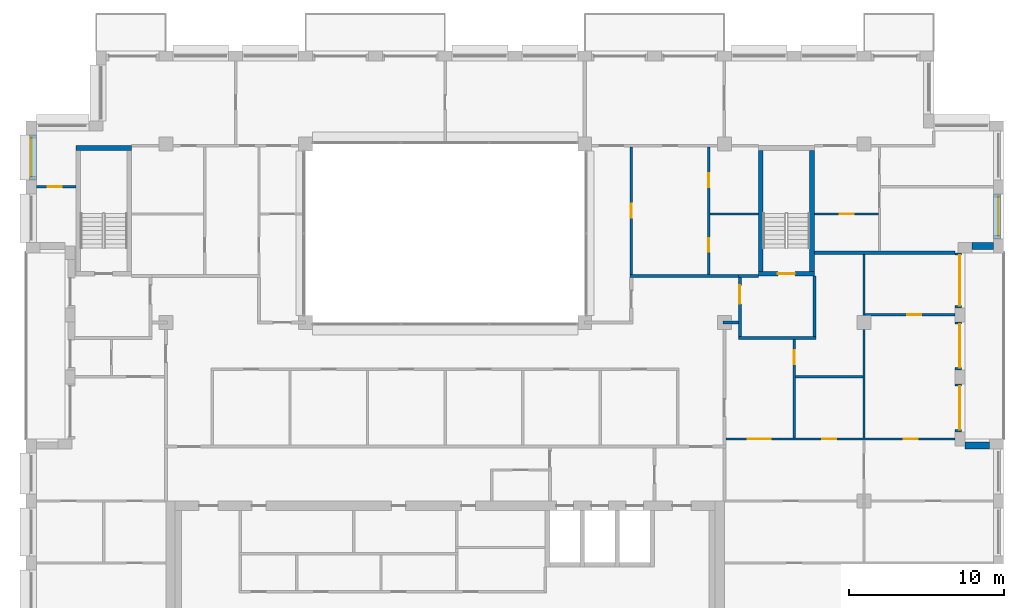
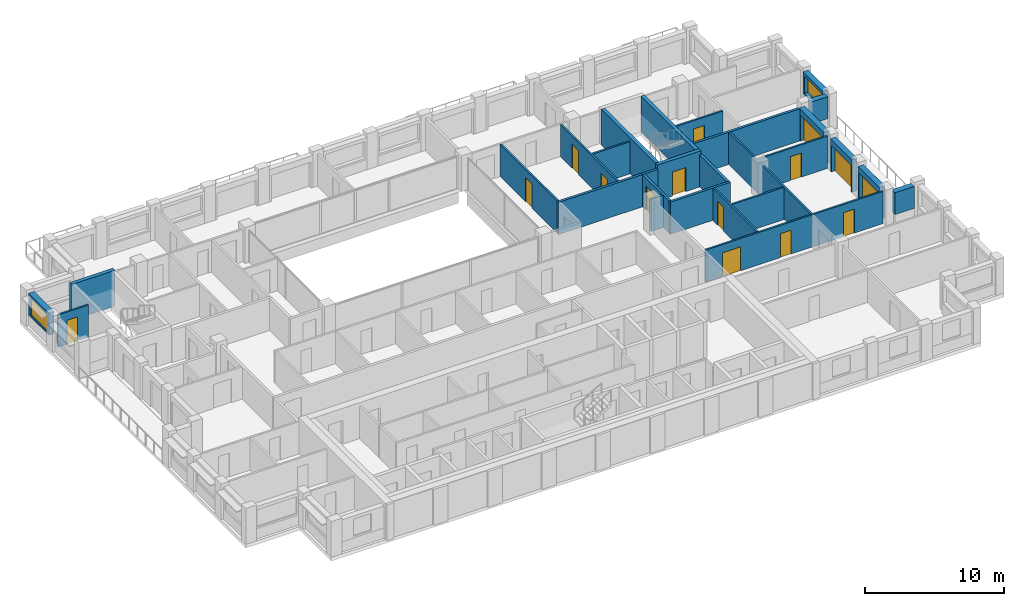
# One storey, part 12 of 15: 28 walls, 15 doors, 2 windows, 17 openings.
"""IFC4 building model written with IfcOpenShell, lengths in metres."""

from ifc_helpers import new_model, si_unit, direction, frame, frame_2d, origin, place, context, subcontext, project, spatial, rectangle, extrude, material, layer, layer_set, type_object, element, fill, save


model = new_model("IFC4")

# Units and contexts
model_context = context("Model", 3, precision=1e-05, world=origin(), true_north=direction((0.0, 1.0)))
body_context = subcontext(model_context, "Body", "Model", "MODEL_VIEW")
ifc_project = project(units=[si_unit("LENGTHUNIT", "METRE"), si_unit("AREAUNIT", "SQUARE_METRE"), si_unit("VOLUMEUNIT", "CUBIC_METRE"), si_unit("PLANEANGLEUNIT", "RADIAN"), si_unit("MASSUNIT", "GRAM", prefix="KILO")], contexts=[model_context])

# Site, building, storey
site_placement = place(None, origin())
site = spatial("IfcSite", under=ifc_project, at=site_placement, CompositionType="ELEMENT")
building_placement = place(site_placement, origin())
building = spatial("IfcBuilding", under=site, at=building_placement, Name="Brigalow Station Residences", CompositionType="ELEMENT")
storey_placement = place(building_placement, frame((0.0, 0.0, 210.60009765625)))
storey = spatial("IfcBuildingStorey", under=building, at=storey_placement, Name="L60", CompositionType="ELEMENT", Elevation=210.60009765625)

# Wall
ifc_material_1 = material(Name="Clay brick masonry", Category="masonry")
ifc_layer_1 = layer(ifc_material_1, 0.449951171875)
ifc_layer_set_1 = layer_set([ifc_layer_1], Name="BRICK INFILL WALL 450")
wall_type_1 = type_object("IfcWallType", Name="BRICK INFILL WALL 450", PredefinedType="SOLIDWALL", material=ifc_layer_set_1)
wall_1_placement = place(storey_placement, frame((71.10009765625, 16.074951171875, 0.89990234375), z_axis=(0.0, 0.0, 1.0), x_axis=(-1.0, 0.0, 0.0)))
element("IfcWall", 1, at=wall_1_placement, inside=storey, type_object=wall_type_1, Name="L60/ewall/W-L60-11", PredefinedType="SOLIDWALL", context=body_context, shape_type="SweptSolid", body=[
    extrude(rectangle(XDim=1.60009765625, YDim=0.449951171875, at=frame_2d((0.800048828125, 0.0))), origin(), (0.0, 0.0, 1.0), 1.929931640625),
])

# Wall, opening, door
wall_2_placement = place(storey_placement, frame((69.074951171875, 16.949951171875, 0.0), z_axis=(0.0, 0.0, 1.0), x_axis=(0.0, 1.0, 0.0)))
wall_2 = element("IfcWall", 2, at=wall_2_placement, inside=storey, type_object=wall_type_1, Name="L60/ewall/W-L60-12", PredefinedType="SOLIDWALL", context=body_context, shape_type="SweptSolid", body=[
    extrude(rectangle(XDim=3.10009765625, YDim=0.449951171875, at=frame_2d((1.550048828125, 0.0))), origin(), (0.0, 0.0, 1.0), 2.829833984375),
])
opening_1_placement = place(wall_2_placement, frame((0.14990234375, 0.0, 0.0)))
opening_1 = element("IfcOpeningElement", 3, at=opening_1_placement, cuts=wall_2, Name="Opening D-B2800", PredefinedType="OPENING", context=body_context, shape_type="SweptSolid", body=[
    extrude(rectangle(XDim=2.800048828125, YDim=2.300048828125, at=frame_2d((1.39990234375, 1.14990234375))), frame((0.0, 0.23486328125, 0.0), z_axis=(0.0, -1.0, 0.0), x_axis=(1.0, 0.0, 0.0)), (0.0, 0.0, 1.0), 0.469970703125),
])
ifc_material_2 = material(Name="Anodised aluminium frame with double glazing", Category="aluminium")
door_type_1 = type_object("IfcDoorType", Name="BALCONY SLIDING DOOR 2800x2300", OperationType="SLIDING_TO_LEFT", PredefinedType="DOOR", material=ifc_material_2)
door_1_placement = place(opening_1_placement, origin())
door_1 = element("IfcDoor", 4, at=door_1_placement, inside=storey, type_object=door_type_1, Name="L60/balcony-door/W-L60-12", OperationType="SLIDING_TO_LEFT", OverallHeight=2.300048828125, OverallWidth=2.800048828125, PredefinedType="DOOR", context=body_context, shape_type="SweptSolid", body=[
    extrude(rectangle(XDim=2.800048828125, YDim=2.300048828125, at=frame_2d((1.39990234375, 1.14990234375))), frame((0.0, -0.06982421875, 0.0), z_axis=(0.0, -1.0, 0.0), x_axis=(1.0, 0.0, 0.0)), (0.0, 0.0, 1.0), 0.050048828125),
])
fill(opening_1, door_1)

wall_3_placement = place(storey_placement, frame((69.074951171875, 20.949951171875, 0.0), z_axis=(0.0, 0.0, 1.0), x_axis=(0.0, 1.0, 0.0)))
wall_3 = element("IfcWall", 5, at=wall_3_placement, inside=storey, type_object=wall_type_1, Name="L60/ewall/W-L60-13", PredefinedType="SOLIDWALL", context=body_context, shape_type="SweptSolid", body=[
    extrude(rectangle(XDim=3.10009765625, YDim=0.449951171875, at=frame_2d((1.550048828125, 0.0))), origin(), (0.0, 0.0, 1.0), 2.829833984375),
])
opening_2_placement = place(wall_3_placement, frame((0.14990234375, 0.0, 0.0)))
opening_2 = element("IfcOpeningElement", 6, at=opening_2_placement, cuts=wall_3, Name="Opening D-B2800", PredefinedType="OPENING", context=body_context, shape_type="SweptSolid", body=[
    extrude(rectangle(XDim=2.800048828125, YDim=2.300048828125, at=frame_2d((1.39990234375, 1.14990234375))), frame((0.0, 0.23486328125, 0.0), z_axis=(0.0, -1.0, 0.0), x_axis=(1.0, 0.0, 0.0)), (0.0, 0.0, 1.0), 0.469970703125),
])
door_2_placement = place(opening_2_placement, origin())
door_2 = element("IfcDoor", 7, at=door_2_placement, inside=storey, type_object=door_type_1, Name="L60/balcony-door/W-L60-13", OperationType="SLIDING_TO_LEFT", OverallHeight=2.300048828125, OverallWidth=2.800048828125, PredefinedType="DOOR", context=body_context, shape_type="SweptSolid", body=[
    extrude(rectangle(XDim=2.800048828125, YDim=2.300048828125, at=frame_2d((1.39990234375, 1.14990234375))), frame((0.0, -0.06982421875, 0.0), z_axis=(0.0, -1.0, 0.0), x_axis=(1.0, 0.0, 0.0)), (0.0, 0.0, 1.0), 0.050048828125),
])
fill(opening_2, door_2)

wall_4_placement = place(storey_placement, frame((69.074951171875, 24.949951171875, 0.0), z_axis=(0.0, 0.0, 1.0), x_axis=(0.0, 1.0, 0.0)))
wall_4 = element("IfcWall", 8, at=wall_4_placement, inside=storey, type_object=wall_type_1, Name="L60/ewall/W-L60-14", PredefinedType="SOLIDWALL", context=body_context, shape_type="SweptSolid", body=[
    extrude(rectangle(XDim=3.550048828125, YDim=0.449951171875, at=frame_2d((1.77490234375, 0.0))), origin(), (0.0, 0.0, 1.0), 2.829833984375),
])
opening_3_placement = place(wall_4_placement, frame((0.14990234375, 0.0, 0.0)))
opening_3 = element("IfcOpeningElement", 9, at=opening_3_placement, cuts=wall_4, Name="Opening D-B3250", PredefinedType="OPENING", context=body_context, shape_type="SweptSolid", body=[
    extrude(rectangle(XDim=3.25, YDim=2.300048828125, at=frame_2d((1.625, 1.14990234375))), frame((0.0, 0.23486328125, 0.0), z_axis=(0.0, -1.0, 0.0), x_axis=(1.0, 0.0, 0.0)), (0.0, 0.0, 1.0), 0.469970703125),
])
ifc_material_3 = material(Name="Anodised aluminium frame with double glazing", Category="aluminium")
door_type_2 = type_object("IfcDoorType", Name="BALCONY SLIDING DOOR 3250x2300", OperationType="SLIDING_TO_LEFT", PredefinedType="DOOR", material=ifc_material_3)
door_3_placement = place(opening_3_placement, origin())
door_3 = element("IfcDoor", 10, at=door_3_placement, inside=storey, type_object=door_type_2, Name="L60/balcony-door/W-L60-14", OperationType="SLIDING_TO_LEFT", OverallHeight=2.300048828125, OverallWidth=3.25, PredefinedType="DOOR", context=body_context, shape_type="SweptSolid", body=[
    extrude(rectangle(XDim=3.25, YDim=2.300048828125, at=frame_2d((1.625, 1.14990234375))), frame((0.0, -0.06982421875, 0.0), z_axis=(0.0, -1.0, 0.0), x_axis=(1.0, 0.0, 0.0)), (0.0, 0.0, 1.0), 0.050048828125),
])
fill(opening_3, door_3)

# Wall
wall_5_placement = place(storey_placement, frame((69.949951171875, 28.925048828125, 0.89990234375), z_axis=(0.0, 0.0, 1.0), x_axis=(1.0, 0.0, 0.0)))
element("IfcWall", 11, at=wall_5_placement, inside=storey, type_object=wall_type_1, Name="L60/ewall/W-L60-15", PredefinedType="SOLIDWALL", context=body_context, shape_type="SweptSolid", body=[
    extrude(rectangle(XDim=1.400146484375, YDim=0.449951171875, at=frame_2d((0.7001953125, 0.0))), origin(), (0.0, 0.0, 1.0), 1.929931640625),
])

# Wall, opening, window
wall_6_placement = place(storey_placement, frame((71.574951171875, 29.39990234375, 0.89990234375), z_axis=(0.0, 0.0, 1.0), x_axis=(0.0, 1.0, 0.0)))
wall_6 = element("IfcWall", 12, at=wall_6_placement, inside=storey, type_object=wall_type_1, Name="L60/ewall/W-L60-16", PredefinedType="SOLIDWALL", context=body_context, shape_type="SweptSolid", body=[
    extrude(rectangle(XDim=2.900146484375, YDim=0.449951171875, at=frame_2d((1.4501953125, 0.0))), origin(), (0.0, 0.0, 1.0), 1.929931640625),
])
opening_4_placement = place(wall_6_placement, frame((0.199951171875, 0.0, 0.14990234375)))
opening_4 = element("IfcOpeningElement", 13, at=opening_4_placement, cuts=wall_6, Name="Opening WT-5", PredefinedType="OPENING", context=body_context, shape_type="SweptSolid", body=[
    extrude(rectangle(XDim=2.5, YDim=1.5, at=frame_2d((1.25, 0.75))), frame((0.0, 0.23486328125, 0.0), z_axis=(0.0, -1.0, 0.0), x_axis=(1.0, 0.0, 0.0)), (0.0, 0.0, 1.0), 0.469970703125),
])
ifc_material_4 = material(Name="Anodised aluminium frame with double glazing", Category="aluminium")
window_type = type_object("IfcWindowType", Name="WINDOW 2500x1500", PartitioningType="SINGLE_PANEL", PredefinedType="WINDOW", material=ifc_material_4)
window_1_placement = place(opening_4_placement, origin())
window_1 = element("IfcWindow", 14, at=window_1_placement, inside=storey, type_object=window_type, Name="L60/window/W-L60-16", OverallHeight=1.5, OverallWidth=2.5, PartitioningType="SINGLE_PANEL", PredefinedType="WINDOW", context=body_context, shape_type="SweptSolid", body=[
    extrude(rectangle(XDim=2.5, YDim=1.5, at=frame_2d((1.25, 0.75))), frame((0.0, -0.06494140625, 0.0), z_axis=(0.0, -1.0, 0.0), x_axis=(1.0, 0.0, 0.0)), (0.0, 0.0, 1.0), 0.06005859375),
])
fill(opening_4, window_1)

wall_7_placement = place(storey_placement, frame((9.425048828125, 36.10009765625, 0.89990234375), z_axis=(0.0, 0.0, 1.0), x_axis=(0.0, -1.0, 0.0)))
wall_7 = element("IfcWall", 15, at=wall_7_placement, inside=storey, type_object=wall_type_1, Name="L60/ewall/W-L60-34", PredefinedType="SOLIDWALL", context=body_context, shape_type="SweptSolid", body=[
    extrude(rectangle(XDim=2.900146484375, YDim=0.449951171875, at=frame_2d((1.4501953125, 0.0))), origin(), (0.0, 0.0, 1.0), 1.929931640625),
])
opening_5_placement = place(wall_7_placement, frame((0.199951171875, 0.0, 0.14990234375)))
opening_5 = element("IfcOpeningElement", 16, at=opening_5_placement, cuts=wall_7, Name="Opening WT-5", PredefinedType="OPENING", context=body_context, shape_type="SweptSolid", body=[
    extrude(rectangle(XDim=2.5, YDim=1.5, at=frame_2d((1.25, 0.75))), frame((0.0, 0.23486328125, 0.0), z_axis=(0.0, -1.0, 0.0), x_axis=(1.0, 0.0, 0.0)), (0.0, 0.0, 1.0), 0.469970703125),
])
window_2_placement = place(opening_5_placement, origin())
window_2 = element("IfcWindow", 17, at=window_2_placement, inside=storey, type_object=window_type, Name="L60/window/W-L60-34", OverallHeight=1.5, OverallWidth=2.5, PartitioningType="SINGLE_PANEL", PredefinedType="WINDOW", context=body_context, shape_type="SweptSolid", body=[
    extrude(rectangle(XDim=2.5, YDim=1.5, at=frame_2d((1.25, 0.75))), frame((0.0, -0.06494140625, 0.0), z_axis=(0.0, -1.0, 0.0), x_axis=(1.0, 0.0, 0.0)), (0.0, 0.0, 1.0), 0.06005859375),
])
fill(opening_5, window_2)

# Wall
ifc_material_5 = material(Name="Concrete C50", Category="concrete")
ifc_layer_2 = layer(ifc_material_5, 0.300048828125)
ifc_layer_set_2 = layer_set([ifc_layer_2], Name="CORE SHEAR WALL 300 C50")
wall_type_2 = type_object("IfcWallType", Name="CORE SHEAR WALL 300 C50", PredefinedType="SHEAR", material=ifc_layer_set_2)
wall_8_placement = place(storey_placement, frame((12.199951171875, 35.25, 0.0), z_axis=(0.0, 0.0, 1.0), x_axis=(1.0, 0.0, 0.0)))
element("IfcWall", 18, at=wall_8_placement, inside=storey, type_object=wall_type_2, Name="CORE WALL ST-S1-N L60", PredefinedType="SHEAR", context=body_context, shape_type="SweptSolid", body=[
    extrude(rectangle(XDim=3.60009765625, YDim=0.300048828125, at=frame_2d((1.800048828125, 0.0))), origin(), (0.0, 0.0, 1.0), 3.14990234375),
])

# Wall, opening, door
wall_9_placement = place(storey_placement, frame((56.199951171875, 27.14990234375, 0.0), z_axis=(0.0, 0.0, 1.0), x_axis=(1.0, 0.0, 0.0)))
wall_9 = element("IfcWall", 19, at=wall_9_placement, inside=storey, type_object=wall_type_2, Name="CORE WALL ST-S3-S L60", PredefinedType="SHEAR", context=body_context, shape_type="SweptSolid", body=[
    extrude(rectangle(XDim=3.60009765625, YDim=0.300048828125, at=frame_2d((1.800048828125, 0.0))), origin(), (0.0, 0.0, 1.0), 3.14990234375),
])
opening_6_placement = place(wall_9_placement, frame((1.25, 0.0, 0.0)))
opening_6 = element("IfcOpeningElement", 20, at=opening_6_placement, cuts=wall_9, Name="Opening D-5018", PredefinedType="OPENING", context=body_context, shape_type="SweptSolid", body=[
    extrude(rectangle(XDim=1.10009765625, YDim=2.10009765625, at=frame_2d((0.550048828125, 1.050048828125))), frame((0.0, 0.16015625, 0.0), z_axis=(0.0, -1.0, 0.0), x_axis=(1.0, 0.0, 0.0)), (0.0, 0.0, 1.0), 0.320068359375),
])
ifc_material_6 = material(Name="Steel fire door leaf in steel frame", Category="steel")
door_type_3 = type_object("IfcDoorType", Name="STAIR DOOR 1100 x 2100 FD60S", OperationType="SINGLE_SWING_LEFT", PredefinedType="DOOR", material=ifc_material_6)
door_4_placement = place(opening_6_placement, origin())
door_4 = element("IfcDoor", 21, at=door_4_placement, inside=storey, type_object=door_type_3, Name="D-5018", OperationType="SINGLE_SWING_LEFT", OverallHeight=2.10009765625, OverallWidth=1.10009765625, PredefinedType="DOOR", context=body_context, shape_type="SweptSolid", body=[
    extrude(rectangle(XDim=1.10009765625, YDim=2.10009765625, at=frame_2d((0.550048828125, 1.050048828125))), frame((0.0, 0.02490234375, 0.0), z_axis=(0.0, -1.0, 0.0), x_axis=(1.0, 0.0, 0.0)), (0.0, 0.0, 1.0), 0.050048828125),
])
fill(opening_6, door_4)

# Walls
for number, where, z_axis, x_axis, name in (
    (22, (56.35009765625, 27.300048828125, 0.0), (0.0, 0.0, 1.0), (0.0, 1.0, 0.0), "CORE WALL ST-S3-W L60"),
    (23, (59.64990234375, 27.300048828125, 0.0), (0.0, 0.0, 1.0), (0.0, 1.0, 0.0), "CORE WALL ST-S3-E L60"),
):
    element("IfcWall", number, at=place(storey_placement, frame(where, z_axis=z_axis, x_axis=x_axis)), inside=storey, type_object=wall_type_2, Name=name, PredefinedType="SHEAR", context=body_context, shape_type="SweptSolid", body=[
        extrude(rectangle(XDim=7.800048828125, YDim=0.300048828125, at=frame_2d((3.89990234375, 0.0))), origin(), (0.0, 0.0, 1.0), 3.14990234375),
    ])
ifc_material_7 = material(Name="Concrete blockwork", Category="masonry")
ifc_layer_3 = layer(ifc_material_7, 0.199951171875)
ifc_layer_set_3 = layer_set([ifc_layer_3], Name="FIRE RATED CORE PARTITION 200")
wall_type_3 = type_object("IfcWallType", Name="FIRE RATED CORE PARTITION 200", PredefinedType="PARTITIONING", material=ifc_layer_set_3)
wall_10_placement = place(storey_placement, frame((54.89990234375, 23.0, 0.0), z_axis=(0.0, 0.0, 1.0), x_axis=(1.0, 0.0, 0.0)))
element("IfcWall", 24, at=wall_10_placement, inside=storey, type_object=wall_type_3, Name="PW-5024", PredefinedType="PARTITIONING", context=body_context, shape_type="SweptSolid", body=[
    extrude(rectangle(XDim=5.0, YDim=0.199951171875, at=frame_2d((2.5, 0.0))), origin(), (0.0, 0.0, 1.0), 2.829833984375),
])
wall_11_placement = place(storey_placement, frame((54.89990234375, 27.0, 0.0), z_axis=(0.0, 0.0, 1.0), x_axis=(1.0, 0.0, 0.0)))
element("IfcWall", 25, at=wall_11_placement, inside=storey, type_object=wall_type_3, Name="PW-5026", PredefinedType="PARTITIONING", context=body_context, shape_type="SweptSolid", body=[
    extrude(rectangle(XDim=1.300048828125, YDim=0.199951171875, at=frame_2d((0.64990234375, 0.0))), origin(), (0.0, 0.0, 1.0), 2.829833984375),
])

# Wall, opening, door
wall_12_placement = place(storey_placement, frame((55.0, 23.10009765625, 0.0), z_axis=(0.0, 0.0, 1.0), x_axis=(0.0, 1.0, 0.0)))
wall_12 = element("IfcWall", 26, at=wall_12_placement, inside=storey, type_object=wall_type_3, Name="PW-5036", PredefinedType="PARTITIONING", context=body_context, shape_type="SweptSolid", body=[
    extrude(rectangle(XDim=3.7998046875, YDim=0.199951171875, at=frame_2d((1.89990234375, 0.0))), origin(), (0.0, 0.0, 1.0), 2.829833984375),
])
opening_7_placement = place(wall_12_placement, frame((2.10009765625, 0.0, 0.0)))
opening_7 = element("IfcOpeningElement", 27, at=opening_7_placement, cuts=wall_12, Name="Opening D-5019", PredefinedType="OPENING", context=body_context, shape_type="SweptSolid", body=[
    extrude(rectangle(XDim=1.199951171875, YDim=2.10009765625, at=frame_2d((0.60009765625, 1.050048828125))), frame((0.0, 0.10986328125, 0.0), z_axis=(0.0, -1.0, 0.0), x_axis=(1.0, 0.0, 0.0)), (0.0, 0.0, 1.0), 0.219970703125),
])
ifc_material_8 = material(Name="Steel fire door leaf in steel frame", Category="steel")
door_type_4 = type_object("IfcDoorType", Name="STAIR LOBBY DOOR 1200 x 2100 FD60S", OperationType="SINGLE_SWING_LEFT", PredefinedType="DOOR", material=ifc_material_8)
door_5_placement = place(opening_7_placement, frame((1.199951171875, 0.0, 0.0), z_axis=(0.0, 0.0, 1.0), x_axis=(-1.0, 0.0, 0.0)))
door_5 = element("IfcDoor", 28, at=door_5_placement, inside=storey, type_object=door_type_4, Name="D-5019", OperationType="SINGLE_SWING_LEFT", OverallHeight=2.10009765625, OverallWidth=1.199951171875, PredefinedType="DOOR", context=body_context, shape_type="SweptSolid", body=[
    extrude(rectangle(XDim=1.199951171875, YDim=2.10009765625, at=frame_2d((0.60009765625, 1.050048828125))), frame((0.0, 0.02490234375, 0.0), z_axis=(0.0, -1.0, 0.0), x_axis=(1.0, 0.0, 0.0)), (0.0, 0.0, 1.0), 0.050048828125),
])
fill(opening_7, door_5)

# Walls
wall_13_placement = place(storey_placement, frame((59.800048828125, 23.10009765625, 0.0), z_axis=(0.0, 0.0, 1.0), x_axis=(0.0, 1.0, 0.0)))
element("IfcWall", 29, at=wall_13_placement, inside=storey, type_object=wall_type_3, Name="PW-5037", PredefinedType="PARTITIONING", context=body_context, shape_type="SweptSolid", body=[
    extrude(rectangle(XDim=3.89990234375, YDim=0.199951171875, at=frame_2d((1.949951171875, 0.0))), origin(), (0.0, 0.0, 1.0), 2.829833984375),
])
ifc_material_9 = material(Name="Plasterboard on steel stud partition", Category="steel")
ifc_layer_4 = layer(ifc_material_9, 0.14990234375)
ifc_layer_set_4 = layer_set([ifc_layer_4], Name="FLAT PARTITION 150")
wall_type_4 = type_object("IfcWallType", Name="FLAT PARTITION 150", PredefinedType="PARTITIONING", material=ifc_layer_set_4)
wall_14_placement = place(storey_placement, frame((58.574951171875, 20.5, 0.0), z_axis=(0.0, 0.0, 1.0), x_axis=(1.0, 0.0, 0.0)))
element("IfcWall", 30, at=wall_14_placement, inside=storey, type_object=wall_type_4, Name="PW-4B09", PredefinedType="PARTITIONING", context=body_context, shape_type="SweptSolid", body=[
    extrude(rectangle(XDim=4.35009765625, YDim=0.14990234375, at=frame_2d((2.175048828125, 0.0))), origin(), (0.0, 0.0, 1.0), 2.829833984375),
])
wall_15_placement = place(storey_placement, frame((53.074951171875, 31.0, 0.0), z_axis=(0.0, 0.0, 1.0), x_axis=(1.0, 0.0, 0.0)))
element("IfcWall", 31, at=wall_15_placement, inside=storey, type_object=wall_type_4, Name="PW-4B17", PredefinedType="PARTITIONING", context=body_context, shape_type="SweptSolid", body=[
    extrude(rectangle(XDim=3.125, YDim=0.14990234375, at=frame_2d((1.5625, 0.0))), origin(), (0.0, 0.0, 1.0), 2.829833984375),
])

# Wall, opening, door
wall_16_placement = place(storey_placement, frame((59.800048828125, 31.0, 0.0), z_axis=(0.0, 0.0, 1.0), x_axis=(1.0, 0.0, 0.0)))
wall_16 = element("IfcWall", 32, at=wall_16_placement, inside=storey, type_object=wall_type_4, Name="PW-4B18", PredefinedType="PARTITIONING", context=body_context, shape_type="SweptSolid", body=[
    extrude(rectangle(XDim=4.125, YDim=0.14990234375, at=frame_2d((2.0625, 0.0))), origin(), (0.0, 0.0, 1.0), 2.829833984375),
])
opening_8_placement = place(wall_16_placement, frame((1.64990234375, 0.0, 0.0)))
opening_8 = element("IfcOpeningElement", 33, at=opening_8_placement, cuts=wall_16, Name="Opening D-4B30", PredefinedType="OPENING", context=body_context, shape_type="SweptSolid", body=[
    extrude(rectangle(XDim=0.89990234375, YDim=2.10009765625, at=frame_2d((0.449951171875, 1.050048828125))), frame((0.0, 0.0849609375, 0.0), z_axis=(0.0, -1.0, 0.0), x_axis=(1.0, 0.0, 0.0)), (0.0, 0.0, 1.0), 0.169921875),
])
ifc_material_10 = material(Name="Solid-core timber door leaf", Category="wood")
door_type_5 = type_object("IfcDoorType", Name="INTERNAL DOOR 900 x 2100", OperationType="SINGLE_SWING_LEFT", PredefinedType="DOOR", material=ifc_material_10)
door_6_placement = place(opening_8_placement, frame((0.89990234375, 0.0, 0.0), z_axis=(0.0, 0.0, 1.0), x_axis=(-1.0, 0.0, 0.0)))
door_6 = element("IfcDoor", 34, at=door_6_placement, inside=storey, type_object=door_type_5, Name="D-4B30", OperationType="SINGLE_SWING_LEFT", OverallHeight=2.10009765625, OverallWidth=0.89990234375, PredefinedType="DOOR", context=body_context, shape_type="SweptSolid", body=[
    extrude(rectangle(XDim=0.89990234375, YDim=2.10009765625, at=frame_2d((0.449951171875, 1.050048828125))), frame((0.0, 0.02490234375, 0.0), z_axis=(0.0, -1.0, 0.0), x_axis=(1.0, 0.0, 0.0)), (0.0, 0.0, 1.0), 0.050048828125),
])
fill(opening_8, door_6)

wall_17_placement = place(storey_placement, frame((9.64990234375, 32.75, 0.0), z_axis=(0.0, 0.0, 1.0), x_axis=(1.0, 0.0, 0.0)))
wall_17 = element("IfcWall", 35, at=wall_17_placement, inside=storey, type_object=wall_type_4, Name="PW-4B22", PredefinedType="PARTITIONING", context=body_context, shape_type="SweptSolid", body=[
    extrude(rectangle(XDim=2.550048828125, YDim=0.14990234375, at=frame_2d((1.27490234375, 0.0))), origin(), (0.0, 0.0, 1.0), 2.829833984375),
])
opening_9_placement = place(wall_17_placement, frame((0.75, 0.0, 0.0)))
opening_9 = element("IfcOpeningElement", 36, at=opening_9_placement, cuts=wall_17, Name="Opening D-4B17", PredefinedType="OPENING", context=body_context, shape_type="SweptSolid", body=[
    extrude(rectangle(XDim=0.89990234375, YDim=2.10009765625, at=frame_2d((0.449951171875, 1.050048828125))), frame((0.0, 0.0849609375, 0.0), z_axis=(0.0, -1.0, 0.0), x_axis=(1.0, 0.0, 0.0)), (0.0, 0.0, 1.0), 0.169921875),
])
door_7_placement = place(opening_9_placement, frame((0.89990234375, 0.0, 0.0), z_axis=(0.0, 0.0, 1.0), x_axis=(-1.0, 0.0, 0.0)))
door_7 = element("IfcDoor", 37, at=door_7_placement, inside=storey, type_object=door_type_5, Name="D-4B17", OperationType="SINGLE_SWING_RIGHT", OverallHeight=2.10009765625, OverallWidth=0.89990234375, PredefinedType="DOOR", context=body_context, shape_type="SweptSolid", body=[
    extrude(rectangle(XDim=0.89990234375, YDim=2.10009765625, at=frame_2d((0.449951171875, 1.050048828125))), frame((0.0, 0.02490234375, 0.0), z_axis=(0.0, -1.0, 0.0), x_axis=(1.0, 0.0, 0.0)), (0.0, 0.0, 1.0), 0.050048828125),
])
fill(opening_9, door_7)

# Wall, openings, doors
wall_18_placement = place(storey_placement, frame((54.10009765625, 16.5, 0.0), z_axis=(0.0, 0.0, 1.0), x_axis=(1.0, 0.0, 0.0)))
wall_18 = element("IfcWall", 38, at=wall_18_placement, inside=storey, type_object=wall_type_4, Name="PW-4B25", PredefinedType="PARTITIONING", context=body_context, shape_type="SweptSolid", body=[
    extrude(rectangle(XDim=14.75, YDim=0.14990234375, at=frame_2d((7.375, 0.0))), origin(), (0.0, 0.0, 1.0), 2.829833984375),
])
opening_10_placement = place(wall_18_placement, frame((1.39990234375, 0.0, 0.0)))
opening_10 = element("IfcOpeningElement", 39, at=opening_10_placement, cuts=wall_18, Name="Opening D-4B32", PredefinedType="OPENING", context=body_context, shape_type="SweptSolid", body=[
    extrude(rectangle(XDim=1.5, YDim=2.10009765625, at=frame_2d((0.75, 1.050048828125))), frame((0.0, 0.0849609375, 0.0), z_axis=(0.0, -1.0, 0.0), x_axis=(1.0, 0.0, 0.0)), (0.0, 0.0, 1.0), 0.169921875),
])
opening_11_placement = place(wall_18_placement, frame((6.199951171875, 0.0, 0.0)))
opening_11 = element("IfcOpeningElement", 40, at=opening_11_placement, cuts=wall_18, Name="Opening D-4B39", PredefinedType="OPENING", context=body_context, shape_type="SweptSolid", body=[
    extrude(rectangle(XDim=0.89990234375, YDim=2.10009765625, at=frame_2d((0.449951171875, 1.050048828125))), frame((0.0, 0.0849609375, 0.0), z_axis=(0.0, -1.0, 0.0), x_axis=(1.0, 0.0, 0.0)), (0.0, 0.0, 1.0), 0.169921875),
])
opening_12_placement = place(wall_18_placement, frame((11.449951171875, 0.0, 0.0)))
opening_12 = element("IfcOpeningElement", 41, at=opening_12_placement, cuts=wall_18, Name="Opening D-4B40", PredefinedType="OPENING", context=body_context, shape_type="SweptSolid", body=[
    extrude(rectangle(XDim=0.89990234375, YDim=2.10009765625, at=frame_2d((0.449951171875, 1.050048828125))), frame((0.0, 0.0849609375, 0.0), z_axis=(0.0, -1.0, 0.0), x_axis=(1.0, 0.0, 0.0)), (0.0, 0.0, 1.0), 0.169921875),
])
door_8_placement = place(opening_11_placement, origin())
door_8 = element("IfcDoor", 42, at=door_8_placement, inside=storey, type_object=door_type_5, Name="D-4B39", OperationType="SINGLE_SWING_RIGHT", OverallHeight=2.10009765625, OverallWidth=0.89990234375, PredefinedType="DOOR", context=body_context, shape_type="SweptSolid", body=[
    extrude(rectangle(XDim=0.89990234375, YDim=2.10009765625, at=frame_2d((0.449951171875, 1.050048828125))), frame((0.0, 0.02490234375, 0.0), z_axis=(0.0, -1.0, 0.0), x_axis=(1.0, 0.0, 0.0)), (0.0, 0.0, 1.0), 0.050048828125),
])
fill(opening_11, door_8)
door_9_placement = place(opening_12_placement, frame((0.89990234375, 0.0, 0.0), z_axis=(0.0, 0.0, 1.0), x_axis=(-1.0, 0.0, 0.0)))
door_9 = element("IfcDoor", 43, at=door_9_placement, inside=storey, type_object=door_type_5, Name="D-4B40", OperationType="SINGLE_SWING_LEFT", OverallHeight=2.10009765625, OverallWidth=0.89990234375, PredefinedType="DOOR", context=body_context, shape_type="SweptSolid", body=[
    extrude(rectangle(XDim=0.89990234375, YDim=2.10009765625, at=frame_2d((0.449951171875, 1.050048828125))), frame((0.0, 0.02490234375, 0.0), z_axis=(0.0, -1.0, 0.0), x_axis=(1.0, 0.0, 0.0)), (0.0, 0.0, 1.0), 0.050048828125),
])
fill(opening_12, door_9)
ifc_material_11 = material(Name="Solid-core timber door leaf", Category="wood")
door_type_6 = type_object("IfcDoorType", Name="INTERNAL DOUBLE DOOR 1500 x 2100", OperationType="DOUBLE_DOOR_SINGLE_SWING", PredefinedType="DOOR", material=ifc_material_11)
door_10_placement = place(opening_10_placement, origin())
door_10 = element("IfcDoor", 44, at=door_10_placement, inside=storey, type_object=door_type_6, Name="D-4B32", OperationType="DOUBLE_DOOR_SINGLE_SWING", OverallHeight=2.10009765625, OverallWidth=1.5, PredefinedType="DOOR", context=body_context, shape_type="SweptSolid", body=[
    extrude(rectangle(XDim=1.5, YDim=2.10009765625, at=frame_2d((0.75, 1.050048828125))), frame((0.0, 0.02490234375, 0.0), z_axis=(0.0, -1.0, 0.0), x_axis=(1.0, 0.0, 0.0)), (0.0, 0.0, 1.0), 0.050048828125),
])
fill(opening_10, door_10)

# Wall, opening, door
wall_19_placement = place(storey_placement, frame((63.074951171875, 24.5, 0.0), z_axis=(0.0, 0.0, 1.0), x_axis=(1.0, 0.0, 0.0)))
wall_19 = element("IfcWall", 45, at=wall_19_placement, inside=storey, type_object=wall_type_4, Name="PW-4B26", PredefinedType="PARTITIONING", context=body_context, shape_type="SweptSolid", body=[
    extrude(rectangle(XDim=5.775146484375, YDim=0.14990234375, at=frame_2d((2.8876953125, 0.0))), origin(), (0.0, 0.0, 1.0), 2.829833984375),
])
opening_13_placement = place(wall_19_placement, frame((2.699951171875, 0.0, 0.0)))
opening_13 = element("IfcOpeningElement", 46, at=opening_13_placement, cuts=wall_19, Name="Opening D-4B41", PredefinedType="OPENING", context=body_context, shape_type="SweptSolid", body=[
    extrude(rectangle(XDim=0.89990234375, YDim=2.10009765625, at=frame_2d((0.449951171875, 1.050048828125))), frame((0.0, 0.0849609375, 0.0), z_axis=(0.0, -1.0, 0.0), x_axis=(1.0, 0.0, 0.0)), (0.0, 0.0, 1.0), 0.169921875),
])
door_11_placement = place(opening_13_placement, origin())
door_11 = element("IfcDoor", 47, at=door_11_placement, inside=storey, type_object=door_type_5, Name="D-4B41", OperationType="SINGLE_SWING_RIGHT", OverallHeight=2.10009765625, OverallWidth=0.89990234375, PredefinedType="DOOR", context=body_context, shape_type="SweptSolid", body=[
    extrude(rectangle(XDim=0.89990234375, YDim=2.10009765625, at=frame_2d((0.449951171875, 1.050048828125))), frame((0.0, 0.02490234375, 0.0), z_axis=(0.0, -1.0, 0.0), x_axis=(1.0, 0.0, 0.0)), (0.0, 0.0, 1.0), 0.050048828125),
])
fill(opening_13, door_11)

wall_20_placement = place(storey_placement, frame((48.0, 27.10009765625, 0.0), z_axis=(0.0, 0.0, 1.0), x_axis=(0.0, 1.0, 0.0)))
wall_20 = element("IfcWall", 48, at=wall_20_placement, inside=storey, type_object=wall_type_4, Name="PW-4B35", PredefinedType="PARTITIONING", context=body_context, shape_type="SweptSolid", body=[
    extrude(rectangle(XDim=8.224853515625, YDim=0.14990234375, at=frame_2d((4.1123046875, 0.0))), origin(), (0.0, 0.0, 1.0), 2.829833984375),
])
opening_14_placement = place(wall_20_placement, frame((3.64990234375, 0.0, 0.0)))
opening_14 = element("IfcOpeningElement", 49, at=opening_14_placement, cuts=wall_20, Name="Opening D-4B21", PredefinedType="OPENING", context=body_context, shape_type="SweptSolid", body=[
    extrude(rectangle(XDim=0.89990234375, YDim=2.10009765625, at=frame_2d((0.449951171875, 1.050048828125))), frame((0.0, 0.0849609375, 0.0), z_axis=(0.0, -1.0, 0.0), x_axis=(1.0, 0.0, 0.0)), (0.0, 0.0, 1.0), 0.169921875),
])
door_12_placement = place(opening_14_placement, origin())
door_12 = element("IfcDoor", 50, at=door_12_placement, inside=storey, type_object=door_type_5, Name="D-4B21", OperationType="SINGLE_SWING_RIGHT", OverallHeight=2.10009765625, OverallWidth=0.89990234375, PredefinedType="DOOR", context=body_context, shape_type="SweptSolid", body=[
    extrude(rectangle(XDim=0.89990234375, YDim=2.10009765625, at=frame_2d((0.449951171875, 1.050048828125))), frame((0.0, 0.02490234375, 0.0), z_axis=(0.0, -1.0, 0.0), x_axis=(1.0, 0.0, 0.0)), (0.0, 0.0, 1.0), 0.050048828125),
])
fill(opening_14, door_12)

# Wall, openings, doors
wall_21_placement = place(storey_placement, frame((53.0, 27.10009765625, 0.0), z_axis=(0.0, 0.0, 1.0), x_axis=(0.0, 1.0, 0.0)))
wall_21 = element("IfcWall", 51, at=wall_21_placement, inside=storey, type_object=wall_type_4, Name="PW-4B44", PredefinedType="PARTITIONING", context=body_context, shape_type="SweptSolid", body=[
    extrude(rectangle(XDim=8.224853515625, YDim=0.14990234375, at=frame_2d((4.1123046875, 0.0))), origin(), (0.0, 0.0, 1.0), 2.829833984375),
])
opening_15_placement = place(wall_21_placement, frame((1.449951171875, 0.0, 0.0)))
opening_15 = element("IfcOpeningElement", 52, at=opening_15_placement, cuts=wall_21, Name="Opening D-4B24", PredefinedType="OPENING", context=body_context, shape_type="SweptSolid", body=[
    extrude(rectangle(XDim=0.89990234375, YDim=2.10009765625, at=frame_2d((0.449951171875, 1.050048828125))), frame((0.0, 0.0849609375, 0.0), z_axis=(0.0, -1.0, 0.0), x_axis=(1.0, 0.0, 0.0)), (0.0, 0.0, 1.0), 0.169921875),
])
opening_16_placement = place(wall_21_placement, frame((5.625, 0.0, 0.0)))
opening_16 = element("IfcOpeningElement", 53, at=opening_16_placement, cuts=wall_21, Name="Opening D-4B25", PredefinedType="OPENING", context=body_context, shape_type="SweptSolid", body=[
    extrude(rectangle(XDim=0.89990234375, YDim=2.10009765625, at=frame_2d((0.449951171875, 1.050048828125))), frame((0.0, 0.0849609375, 0.0), z_axis=(0.0, -1.0, 0.0), x_axis=(1.0, 0.0, 0.0)), (0.0, 0.0, 1.0), 0.169921875),
])
door_13_placement = place(opening_15_placement, frame((0.89990234375, 0.0, 0.0), z_axis=(0.0, 0.0, 1.0), x_axis=(-1.0, 0.0, 0.0)))
door_13 = element("IfcDoor", 54, at=door_13_placement, inside=storey, type_object=door_type_5, Name="D-4B24", OperationType="SINGLE_SWING_RIGHT", OverallHeight=2.10009765625, OverallWidth=0.89990234375, PredefinedType="DOOR", context=body_context, shape_type="SweptSolid", body=[
    extrude(rectangle(XDim=0.89990234375, YDim=2.10009765625, at=frame_2d((0.449951171875, 1.050048828125))), frame((0.0, 0.02490234375, 0.0), z_axis=(0.0, -1.0, 0.0), x_axis=(1.0, 0.0, 0.0)), (0.0, 0.0, 1.0), 0.050048828125),
])
fill(opening_15, door_13)
door_14_placement = place(opening_16_placement, frame((0.89990234375, 0.0, 0.0), z_axis=(0.0, 0.0, 1.0), x_axis=(-1.0, 0.0, 0.0)))
door_14 = element("IfcDoor", 55, at=door_14_placement, inside=storey, type_object=door_type_5, Name="D-4B25", OperationType="SINGLE_SWING_RIGHT", OverallHeight=2.10009765625, OverallWidth=0.89990234375, PredefinedType="DOOR", context=body_context, shape_type="SweptSolid", body=[
    extrude(rectangle(XDim=0.89990234375, YDim=2.10009765625, at=frame_2d((0.449951171875, 1.050048828125))), frame((0.0, 0.02490234375, 0.0), z_axis=(0.0, -1.0, 0.0), x_axis=(1.0, 0.0, 0.0)), (0.0, 0.0, 1.0), 0.050048828125),
])
fill(opening_16, door_14)

# Wall
wall_22_placement = place(storey_placement, frame((63.0, 16.574951171875, 0.0), z_axis=(0.0, 0.0, 1.0), x_axis=(0.0, 1.0, 0.0)))
element("IfcWall", 56, at=wall_22_placement, inside=storey, type_object=wall_type_4, Name="PW-4B50", PredefinedType="PARTITIONING", context=body_context, shape_type="SweptSolid", body=[
    extrude(rectangle(XDim=11.824951171875, YDim=0.14990234375, at=frame_2d((5.91259765625, 0.0))), origin(), (0.0, 0.0, 1.0), 2.829833984375),
])

# Wall, opening, door
wall_23_placement = place(storey_placement, frame((58.5, 16.574951171875, 0.0), z_axis=(0.0, 0.0, 1.0), x_axis=(0.0, 1.0, 0.0)))
wall_23 = element("IfcWall", 57, at=wall_23_placement, inside=storey, type_object=wall_type_4, Name="PW-4B51", PredefinedType="PARTITIONING", context=body_context, shape_type="SweptSolid", body=[
    extrude(rectangle(XDim=6.324951171875, YDim=0.14990234375, at=frame_2d((3.16259765625, 0.0))), origin(), (0.0, 0.0, 1.0), 2.829833984375),
])
opening_17_placement = place(wall_23_placement, frame((4.75, 0.0, 0.0)))
opening_17 = element("IfcOpeningElement", 58, at=opening_17_placement, cuts=wall_23, Name="Opening D-4B33", PredefinedType="OPENING", context=body_context, shape_type="SweptSolid", body=[
    extrude(rectangle(XDim=0.89990234375, YDim=2.10009765625, at=frame_2d((0.449951171875, 1.050048828125))), frame((0.0, 0.0849609375, 0.0), z_axis=(0.0, -1.0, 0.0), x_axis=(1.0, 0.0, 0.0)), (0.0, 0.0, 1.0), 0.169921875),
])
door_15_placement = place(opening_17_placement, frame((0.89990234375, 0.0, 0.0), z_axis=(0.0, 0.0, 1.0), x_axis=(-1.0, 0.0, 0.0)))
door_15 = element("IfcDoor", 59, at=door_15_placement, inside=storey, type_object=door_type_5, Name="D-4B33", OperationType="SINGLE_SWING_LEFT", OverallHeight=2.10009765625, OverallWidth=0.89990234375, PredefinedType="DOOR", context=body_context, shape_type="SweptSolid", body=[
    extrude(rectangle(XDim=0.89990234375, YDim=2.10009765625, at=frame_2d((0.449951171875, 1.050048828125))), frame((0.0, 0.02490234375, 0.0), z_axis=(0.0, -1.0, 0.0), x_axis=(1.0, 0.0, 0.0)), (0.0, 0.0, 1.0), 0.050048828125),
])
fill(opening_17, door_15)

# Walls
ifc_material_12 = material(Name="Plasterboard on steel stud partition", Category="steel")
ifc_layer_5 = layer(ifc_material_12, 0.199951171875)
ifc_layer_set_5 = layer_set([ifc_layer_5], Name="PARTY AND CORRIDOR WALL 200")
wall_type_5 = type_object("IfcWallType", Name="PARTY AND CORRIDOR WALL 200", PredefinedType="PARTITIONING", material=ifc_layer_set_5)
wall_24_placement = place(storey_placement, frame((53.89990234375, 24.0, 0.0), z_axis=(0.0, 0.0, 1.0), x_axis=(1.0, 0.0, 0.0)))
element("IfcWall", 60, at=wall_24_placement, inside=storey, type_object=wall_type_5, Name="PW-4B04", PredefinedType="PARTITIONING", context=body_context, shape_type="SweptSolid", body=[
    extrude(rectangle(XDim=1.0, YDim=0.199951171875, at=frame_2d((0.5, 0.0))), origin(), (0.0, 0.0, 1.0), 2.829833984375),
])
wall_25_placement = place(storey_placement, frame((47.925048828125, 27.0, 0.0), z_axis=(0.0, 0.0, 1.0), x_axis=(1.0, 0.0, 0.0)))
element("IfcWall", 61, at=wall_25_placement, inside=storey, type_object=wall_type_5, Name="PW-4B07", PredefinedType="PARTITIONING", context=body_context, shape_type="SweptSolid", body=[
    extrude(rectangle(XDim=6.974853515625, YDim=0.199951171875, at=frame_2d((3.4873046875, 0.0))), origin(), (0.0, 0.0, 1.0), 2.829833984375),
])
wall_26_placement = place(storey_placement, frame((59.800048828125, 28.5, 0.0), z_axis=(0.0, 0.0, 1.0), x_axis=(1.0, 0.0, 0.0)))
element("IfcWall", 62, at=wall_26_placement, inside=storey, type_object=wall_type_5, Name="PW-4B24", PredefinedType="PARTITIONING", context=body_context, shape_type="SweptSolid", body=[
    extrude(rectangle(XDim=9.050048828125, YDim=0.199951171875, at=frame_2d((4.52490234375, 0.0))), origin(), (0.0, 0.0, 1.0), 2.829833984375),
])

save(model, "model.ifc")
